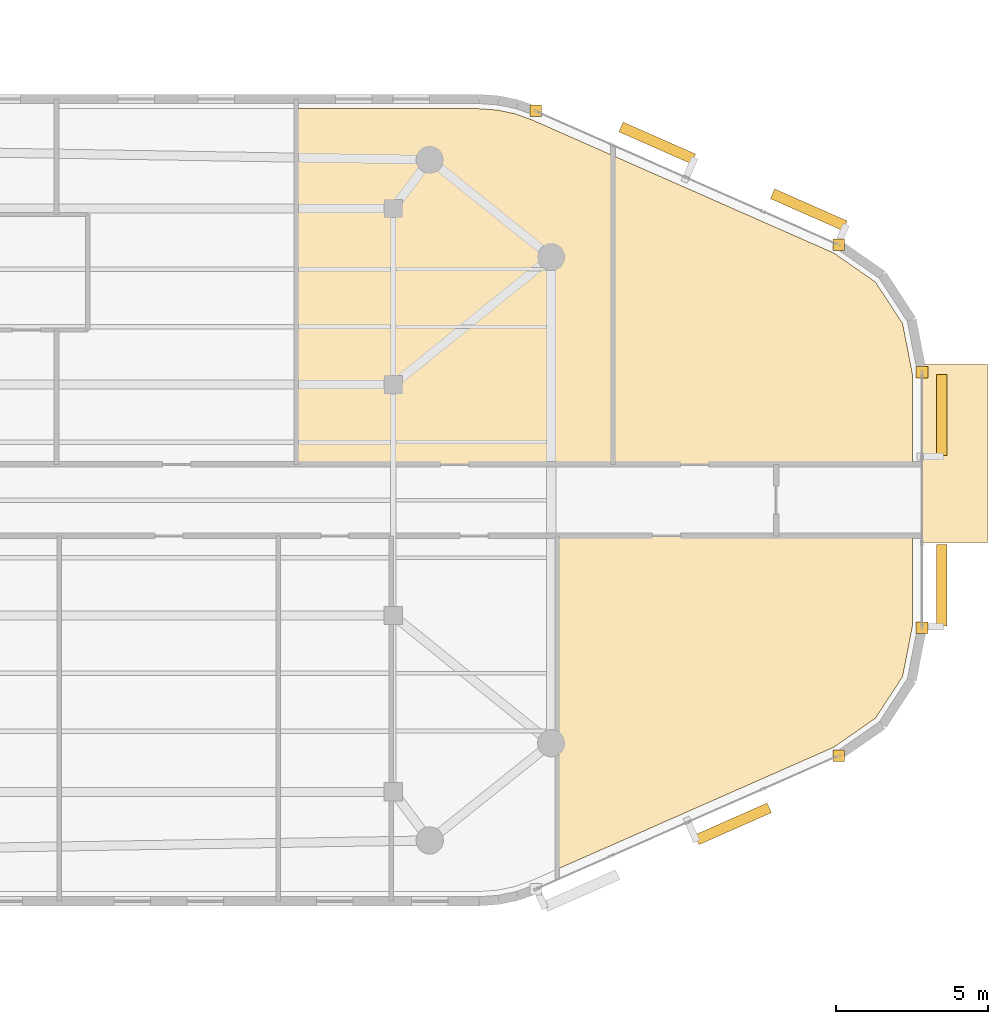
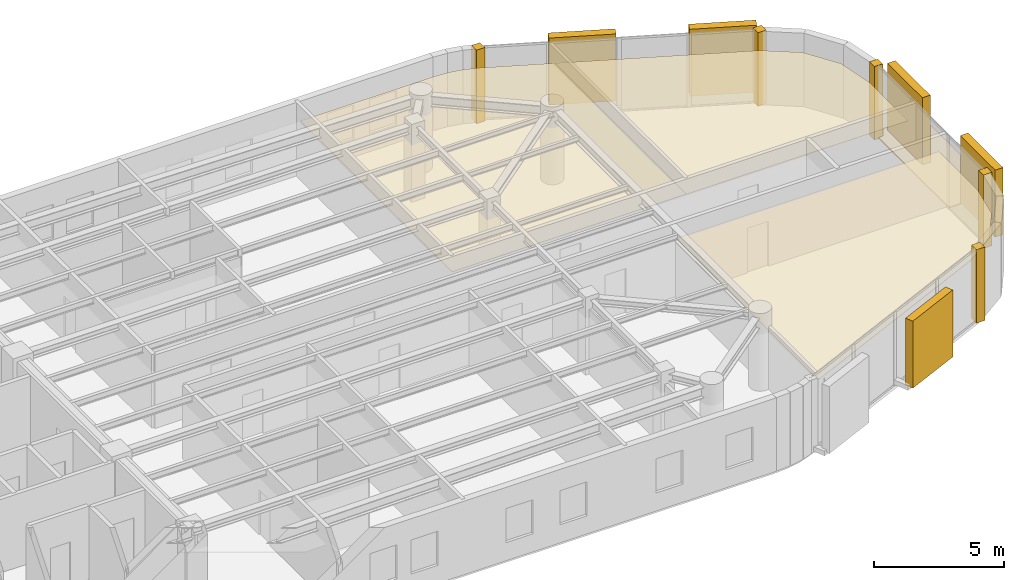
# One storey, part 14 of 14: 9 coverings, 5 shading devices.
"""IFC4 building model written with IfcOpenShell, lengths in metres."""

import ifcopenshell
import ifcopenshell.guid

model = None  # the IFC model being written
_history = None  # IfcOwnerHistory: only IFC2X3 demands one
_inside = {}  # id of a spatial element -> (the spatial element, [elements in it])
_under = {}  # id of a project, library or spatial element -> (it, [spatial elements below it])
_declared = {}  # id of a project -> (the project, [libraries it declares])
_typed = {}  # id of a type object -> (the type object, [elements of that type])
_made_of = {}  # id of a material, layer set ... -> (it, [elements and type objects made of it])


def new_model(schema):
    """Start an empty IFC model of exactly this schema.

    Asked for "IFC4X3", IfcOpenShell would pick the latest addendum, in which some entities
    have other attributes; the version numbers below select the first issue.
    IFC2X3 requires an IfcOwnerHistory on every rooted entity: one is made here for all.
    """
    global model, _history
    if schema == "IFC4X3":
        model = ifcopenshell.file(schema_version=(4, 3, 0, 0))
    else:
        model = ifcopenshell.file(schema=schema)
    _inside.clear()
    _under.clear()
    _declared.clear()
    _typed.clear()
    _made_of.clear()
    _history = None
    if model.schema == "IFC2X3":
        org = make("IfcOrganization", Name="unknown")
        user = make(
            "IfcPersonAndOrganization",
            ThePerson=make("IfcPerson", FamilyName="unknown"),
            TheOrganization=org,
        )
        app = make(
            "IfcApplication",
            ApplicationDeveloper=org,
            Version="unknown",
            ApplicationFullName="unknown",
            ApplicationIdentifier="unknown",
        )
        _history = make(
            "IfcOwnerHistory",
            OwningUser=user,
            OwningApplication=app,
            ChangeAction="ADDED",
            CreationDate=0,
        )
    return model


def make(cls, **values):
    """One entity of the class cls with the attributes given. An attribute that is None is left unset."""
    return model.create_entity(
        cls, **{name: value for name, value in values.items() if value is not None}
    )


def rooted(cls, **values):
    """An entity with a GlobalId (a new one), such as an element, a storey or a relation."""
    return make(cls, GlobalId=ifcopenshell.guid.new(), OwnerHistory=_history, **values)


def si_unit(unit_type, name, prefix=None):
    """IfcSIUnit, for example si_unit("LENGTHUNIT", "METRE", prefix="MILLI")."""
    return make("IfcSIUnit", UnitType=unit_type, Prefix=prefix, Name=name)


def assignment(units):
    """IfcUnitAssignment: the units of a project."""
    return None if units is None else make("IfcUnitAssignment", Units=units)


def point(xyz):
    """IfcCartesianPoint."""
    return None if xyz is None else make("IfcCartesianPoint", Coordinates=xyz)


def direction(xyz):
    """IfcDirection."""
    return None if xyz is None else make("IfcDirection", DirectionRatios=xyz)


def frame(location, z_axis=None, x_axis=None):
    """IfcAxis2Placement3D, a coordinate frame: its origin and axes. An axis left out is left unset."""
    return make(
        "IfcAxis2Placement3D",
        Location=point(location),
        Axis=direction(z_axis),
        RefDirection=direction(x_axis),
    )


def frame_2d(location, x_axis=None):
    """IfcAxis2Placement2D, a coordinate frame in the plane: its origin and x axis."""
    return make(
        "IfcAxis2Placement2D", Location=point(location), RefDirection=direction(x_axis)
    )


def origin():
    """The frame at (0, 0, 0) with its axes left unset."""
    return frame((0.0, 0.0, 0.0))


def origin_2d():
    """The frame at (0, 0) in the plane with its x axis left unset."""
    return frame_2d((0.0, 0.0))


def place(relative_to, where):
    """IfcLocalPlacement: puts the frame where relative to a parent placement (None: the world)."""
    return make(
        "IfcLocalPlacement", PlacementRelTo=relative_to, RelativePlacement=where
    )


def context(
    kind, dimensions, precision=None, world=None, true_north=None, identifier=None
):
    """IfcGeometricRepresentationContext, for example the 3D "Model" context."""
    return make(
        "IfcGeometricRepresentationContext",
        ContextIdentifier=identifier,
        ContextType=kind,
        CoordinateSpaceDimension=dimensions,
        Precision=precision,
        WorldCoordinateSystem=world,
        TrueNorth=true_north,
    )


def subcontext(parent, identifier, kind, view, scale=None):
    """IfcGeometricRepresentationSubContext, for example "Body" below "Model"."""
    return make(
        "IfcGeometricRepresentationSubContext",
        ContextIdentifier=identifier,
        ContextType=kind,
        ParentContext=parent,
        TargetScale=scale,
        TargetView=view,
    )


def project(units=None, contexts=None):
    """IfcProject with its units and contexts."""
    return rooted(
        "IfcProject",
        Name="project",
        RepresentationContexts=contexts,
        UnitsInContext=assignment(units),
    )


def spatial(cls, under=None, at=None, **own):
    """A site, building, storey or space (cls), placed at a placement, below another one or the project."""
    s = rooted(cls, ObjectPlacement=at, **own)
    if under is not None:
        _under.setdefault(under.id(), (under, []))[1].append(s)
    return s


def polyline(points):
    """IfcPolyline through the points."""
    return make("IfcPolyline", Points=[point(p) for p in points])


def profile(cls, at=None, kind="AREA", **sizes):
    """A parametric profile (cls). Its sizes go by their IFC names, for example OverallWidth=200.0."""
    return make(cls, ProfileType=kind, Position=at, **sizes)


def rectangle(**sizes):
    """IfcRectangleProfileDef."""
    return profile("IfcRectangleProfileDef", **sizes)


def outline(outer, holes=None, kind="AREA"):
    """IfcArbitraryClosedProfileDef: a profile drawn as a closed curve; with holes, ...WithVoids."""
    if holes is None:
        return make("IfcArbitraryClosedProfileDef", ProfileType=kind, OuterCurve=outer)
    return make(
        "IfcArbitraryProfileDefWithVoids",
        ProfileType=kind,
        OuterCurve=outer,
        InnerCurves=holes,
    )


def extrude(swept, where, along, depth):
    """IfcExtrudedAreaSolid: the profile swept, set in the frame where, extruded along a direction by depth."""
    return make(
        "IfcExtrudedAreaSolid",
        SweptArea=swept,
        Position=where,
        ExtrudedDirection=direction(along),
        Depth=depth,
    )


def shape(context_of_items, identifier, shape_type, items):
    """IfcShapeRepresentation: the items that make up one representation, for example the "Body"."""
    return make(
        "IfcShapeRepresentation",
        ContextOfItems=context_of_items,
        RepresentationIdentifier=identifier,
        RepresentationType=shape_type,
        Items=items,
    )


def material(Name=None, Category=None):
    """IfcMaterial."""
    return make("IfcMaterial", Name=Name, Category=Category)


def layer(
    of_material, thickness, ventilated=None, Name=None, Category=None, Priority=None
):
    """IfcMaterialLayer: one layer of a wall or slab, of a material (None: an air gap)."""
    return make(
        "IfcMaterialLayer",
        Material=of_material,
        LayerThickness=thickness,
        IsVentilated=ventilated,
        Name=Name,
        Category=Category,
        Priority=Priority,
    )


def layer_set(layers, Name=None):
    """IfcMaterialLayerSet."""
    return make("IfcMaterialLayerSet", MaterialLayers=layers, LayerSetName=Name)


def made_of(thing, what):
    """Note that an element or type object is made of a material, layer set ...; save() writes the relation."""
    if what is not None:
        _made_of.setdefault(what.id(), (what, []))[1].append(thing)
    return thing


def type_object(cls, material=None, **own):
    """A type object (cls), such as IfcWallType, which elements share."""
    return made_of(rooted(cls, **own), material)


def element(
    cls,
    number,
    at=None,
    inside=None,
    cuts=None,
    type_object=None,
    material=None,
    context=None,
    identifier="Body",
    shape_type=None,
    held_by="IfcProductDefinitionShape",
    body=None,
    shapes=None,
    **own,
):
    """One element of the class cls, such as IfcWall. Its Tag is "e" and its number.

    at: its placement. inside: the storey or other place that contains it. cuts: it is an
    opening in that element (IfcRelVoidsElement). A single representation is given by context,
    identifier, shape_type and body (its items); several are given by shapes. held_by: the class
    of the entity that holds the representations. save() writes the other relations.
    """
    e = rooted(cls, Tag="e%d" % number, ObjectPlacement=at, **own)
    if body is not None:
        shapes = [shape(context, identifier, shape_type, body)]
    if shapes is not None:
        e.Representation = make(held_by, Representations=shapes)
    if inside is not None:
        _inside.setdefault(inside.id(), (inside, []))[1].append(e)
    if cuts is not None:
        rooted(
            "IfcRelVoidsElement", RelatingBuildingElement=cuts, RelatedOpeningElement=e
        )
    if type_object is not None:
        _typed.setdefault(type_object.id(), (type_object, []))[1].append(e)
    return made_of(e, material)


def aggregate(whole, parts):
    """IfcRelAggregates: a whole, such as a stair, and the parts it consists of."""
    return rooted("IfcRelAggregates", RelatingObject=whole, RelatedObjects=parts)


def save(model, path):
    """Write the relations noted so far, then the file.

    IfcRelAggregates (storeys below a building ...), IfcRelContainedInSpatialStructure (elements
    in a storey), IfcRelDefinesByType, IfcRelAssociatesMaterial and IfcRelDeclares: one each for
    every whole, place, type object, material and project.
    """
    for whole, parts in _under.values():
        aggregate(whole, parts)
    for where, things in _inside.values():
        rooted(
            "IfcRelContainedInSpatialStructure",
            RelatedElements=things,
            RelatingStructure=where,
        )
    for kind, things in _typed.values():
        rooted("IfcRelDefinesByType", RelatedObjects=things, RelatingType=kind)
    for what, things in _made_of.values():
        rooted("IfcRelAssociatesMaterial", RelatedObjects=things, RelatingMaterial=what)
    for by, libraries in _declared.values():
        rooted("IfcRelDeclares", RelatingContext=by, RelatedDefinitions=libraries)
    model.write(path)


model = new_model("IFC4")

# Units and contexts
model_context = context("Model", 3, precision=1e-05, world=origin(), true_north=direction((0.0, 1.0)))
body_context = subcontext(model_context, "Body", "Model", "MODEL_VIEW")
ifc_project = project(units=[si_unit("LENGTHUNIT", "METRE"), si_unit("AREAUNIT", "SQUARE_METRE"), si_unit("VOLUMEUNIT", "CUBIC_METRE"), si_unit("PLANEANGLEUNIT", "RADIAN"), si_unit("MASSUNIT", "GRAM", prefix="KILO")], contexts=[model_context])

# Site, building, storey
site_placement = place(None, origin())
site = spatial("IfcSite", under=ifc_project, at=site_placement, CompositionType="ELEMENT")
building_placement = place(site_placement, origin())
building = spatial("IfcBuilding", under=site, at=building_placement, Name="An Khanh Terracotta Commons", CompositionType="ELEMENT")
storey_placement = place(building_placement, frame((0.0, 0.0, 280.699951171875)))
storey = spatial("IfcBuildingStorey", under=building, at=storey_placement, Name="L73", CompositionType="ELEMENT", Elevation=280.699951171875)

# Coverings
ifc_material_1 = material(Name="Perforated Mineral-Fibre Acoustic Tile")
ifc_layer_1 = layer(ifc_material_1, 0.02001953125, Name="Perforated Mineral-Fibre Acoustic Tile")
ifc_layer_set_1 = layer_set([ifc_layer_1], Name="Perforated Mineral-Fibre Acoustic Tile")
covering_type_1 = type_object("IfcCoveringType", Name="CEIL-ACOUSTIC-18", PredefinedType="CEILING", material=ifc_layer_set_1)
covering_1_placement = place(storey_placement, frame((0.0, 0.0, 2.650146484375)))
element("IfcCovering", 1, at=covering_1_placement, inside=storey, type_object=covering_type_1, Name="L73 Observatory Study Hall Ceiling", PredefinedType="CEILING", context=body_context, shape_type="SweptSolid", body=[
    extrude(outline(polyline([(61.01904296875, 36.8798828125), (61.62109375, 36.837890625), (62.199951171875, 36.716064453125), (62.76806640625, 36.511962890625), (65.431884765625, 35.3359375), (65.431884765625, 25.179931640625), (55.011962890625, 25.179931640625), (55.011962890625, 36.8798828125), (61.01904296875, 36.8798828125)])), origin(), (0.0, 0.0, 1.0), 0.02001953125),
])
covering_2_placement = place(storey_placement, frame((0.0, 0.0, 2.650146484375)))
element("IfcCovering", 2, at=covering_2_placement, inside=storey, type_object=covering_type_1, Name="L73 Music Lounge Ceiling", PredefinedType="CEILING", context=body_context, shape_type="SweptSolid", body=[
    extrude(outline(polyline([(72.699951171875, 32.1298828125), (74.068115234375, 31.177978515625), (74.9609375, 29.80810546875), (75.280029296875, 28.1708984375), (75.280029296875, 25.179931640625), (70.800048828125, 25.179931640625), (65.431884765625, 25.179931640625), (65.431884765625, 35.3359375), (72.699951171875, 32.1298828125)])), origin(), (0.0, 0.0, 1.0), 0.02001953125),
])
covering_3_placement = place(storey_placement, frame((0.0, 0.0, 2.650146484375)))
element("IfcCovering", 3, at=covering_3_placement, inside=storey, type_object=covering_type_1, Name="L73 Riverfront Reading Hall Ceiling", PredefinedType="CEILING", context=body_context, shape_type="SweptSolid", body=[
    extrude(outline(polyline([(75.280029296875, 19.8291015625), (74.9609375, 18.19189453125), (74.068115234375, 16.822021484375), (72.699951171875, 15.8701171875), (63.592041015625, 11.85205078125), (63.592041015625, 22.820068359375), (70.800048828125, 22.820068359375), (75.280029296875, 22.820068359375), (75.280029296875, 19.8291015625)])), origin(), (0.0, 0.0, 1.0), 0.02001953125),
])
ifc_material_2 = material(Name="Fired Terracotta Rainscreen Cladding", Category="masonry")
ifc_layer_2 = layer(ifc_material_2, 0.080078125, Name="Fired Terracotta Rainscreen Cladding")
ifc_layer_set_2 = layer_set([ifc_layer_2], Name="Fired Terracotta Rainscreen Cladding")
covering_type_2 = type_object("IfcCoveringType", Name="COV-JAMB-TERRA", PredefinedType="CLADDING", material=ifc_layer_set_2)
for number, where, z_axis, x_axis, name in (
    (4, (72.85693359375, 15.590087890625, 0.0), (0.0, 0.0, 1.0), (1.0, 0.0, 0.0), "L73 CW-03 Curtain-Wall Jamb Closure JB"),
    (5, (75.60009765625, 19.798095703125, 0.0), (0.0, 0.0, 1.0), (1.0, 0.0, 0.0), "L73 CW-03 Curtain-Wall Jamb Closure JA"),
    (6, (75.60009765625, 28.201904296875, 0.0), (0.0, 0.0, 1.0), (1.0, 0.0, 0.0), "L73 CW-03 Curtain-Wall Jamb Closure JB"),
    (7, (72.85693359375, 32.409912109375, 0.0), (0.0, 0.0, 1.0), (1.0, 0.0, 0.0), "L73 CW-03 Curtain-Wall Jamb Closure JA"),
    (8, (62.886962890625, 36.80908203125, 0.0), (0.0, 0.0, 1.0), (1.0, 0.0, 0.0), "L73 CW-03 Curtain-Wall Jamb Closure JB"),
):
    element("IfcCovering", number, at=place(storey_placement, frame(where, z_axis=z_axis, x_axis=x_axis)), inside=storey, type_object=covering_type_2, Name=name, PredefinedType="CLADDING", context=body_context, shape_type="SweptSolid", body=[
        extrude(rectangle(XDim=0.3798828125, YDim=0.3798828125, at=origin_2d()), origin(), (0.0, 0.0, 1.0), 3.449951171875),
    ])
ifc_material_3 = material(Name="Planted Garden Waterproofing Membrane")
ifc_layer_3 = layer(ifc_material_3, 0.080078125, Name="Planted Garden Waterproofing Membrane")
ifc_layer_set_3 = layer_set([ifc_layer_3], Name="Planted Garden Waterproofing Membrane")
covering_type_3 = type_object("IfcCoveringType", Name="COV-ROOFING-GREEN", PredefinedType="ROOFING", material=ifc_layer_set_3)
covering_4_placement = place(storey_placement, origin())
element("IfcCovering", 9, at=covering_4_placement, inside=storey, type_object=covering_type_3, Name="L73 Shifted Box Roof Waterproofing (L72)", PredefinedType="ROOFING", context=body_context, shape_type="SweptSolid", body=[
    extrude(outline(polyline([(75.60009765625, 22.60009765625), (77.75, 22.60009765625), (77.75, 28.469970703125), (75.60009765625, 28.469970703125), (75.60009765625, 22.60009765625)])), origin(), (0.0, 0.0, 1.0), 0.06005859375),
])

# Shading devices
ifc_material_4 = material(Name="Extruded Fired Terracotta", Category="masonry")
shading_device_type = type_object("IfcShadingDeviceType", Name="Terracotta Baguette Screen Assembly", PredefinedType="USERDEFINED", material=ifc_material_4)
shading_device_placement = place(storey_placement, frame((69.381103515625, 13.345947265625, 0.150146484375), z_axis=(0.0, 0.0, 1.0), x_axis=(0.914901853201, 0.403676354285, 0.0)))
element("IfcShadingDevice", 10, at=shading_device_placement, inside=storey, type_object=shading_device_type, Name="L73 Terracotta Baguette Screen 3", ObjectType="BAGUETTE", PredefinedType="USERDEFINED", context=body_context, shape_type="SweptSolid", body=[
    extrude(rectangle(XDim=2.60400390625, YDim=0.35009765625, at=origin_2d()), origin(), (0.0, 0.0, 1.0), 3.14990234375),
])
for number, where, z_axis, x_axis, name in (
    (11, (76.25, 21.198974609375, 0.150146484375), (0.0, 0.0, 1.0), (0.0, 1.0, 0.0), "L73 Terracotta Baguette Screen 1"),
    (12, (76.25, 26.801025390625, 0.150146484375), (0.0, 0.0, 1.0), (0.0, 1.0, 0.0), "L73 Terracotta Baguette Screen 3"),
):
    element("IfcShadingDevice", number, at=place(storey_placement, frame(where, z_axis=z_axis, x_axis=x_axis)), inside=storey, type_object=shading_device_type, Name=name, ObjectType="BAGUETTE", PredefinedType="USERDEFINED", context=body_context, shape_type="SweptSolid", body=[
        extrude(rectangle(XDim=2.680908203125, YDim=0.35009765625, at=origin_2d()), origin(), (0.0, 0.0, 1.0), 3.14990234375),
    ])
for number, where, z_axis, x_axis, name in (
    (13, (71.873046875, 33.554931640625, 0.150146484375), (0.0, 0.0, 1.0), (-0.914901853201, 0.403676354285, 0.0), "L73 Terracotta Baguette Screen 1"),
    (14, (66.887939453125, 35.75390625, 0.150146484375), (0.0, 0.0, 1.0), (-0.914901853201, 0.403676354285, 0.0), "L73 Terracotta Baguette Screen 3"),
):
    element("IfcShadingDevice", number, at=place(storey_placement, frame(where, z_axis=z_axis, x_axis=x_axis)), inside=storey, type_object=shading_device_type, Name=name, ObjectType="BAGUETTE", PredefinedType="USERDEFINED", context=body_context, shape_type="SweptSolid", body=[
        extrude(rectangle(XDim=2.60400390625, YDim=0.35009765625, at=origin_2d()), origin(), (0.0, 0.0, 1.0), 3.14990234375),
    ])

save(model, "model.ifc")
